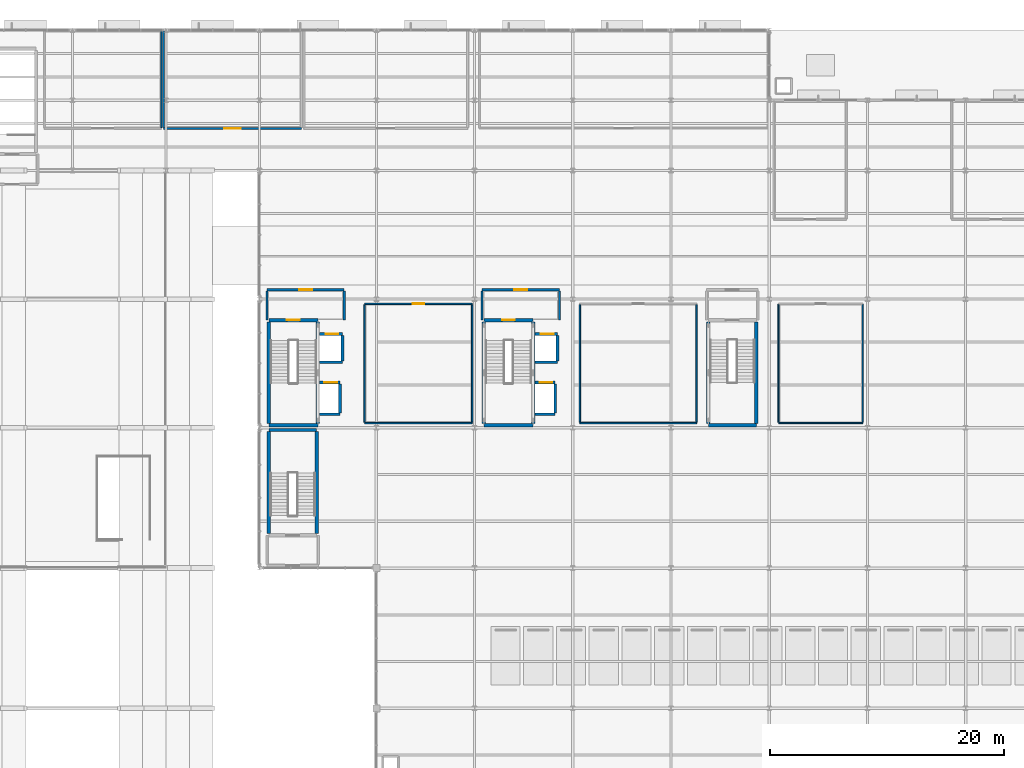
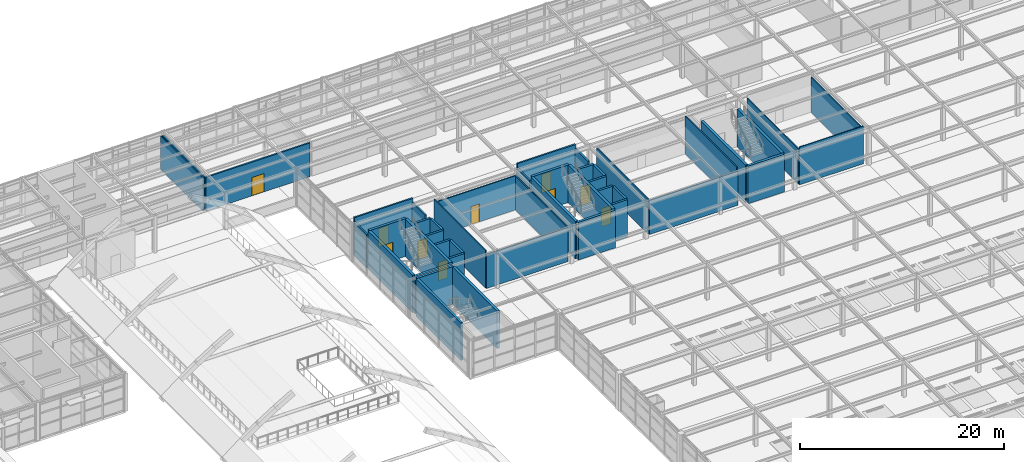
# One storey, part 65 of 82: 45 walls, 10 doors, 10 openings.
"""IFC4 building model written with IfcOpenShell, lengths in metres."""

from ifc_helpers import new_model, si_unit, direction, frame, frame_2d, origin, place, context, subcontext, project, spatial, rectangle, extrude, material, layer, layer_set, type_object, element, fill, save


model = new_model("IFC4")

# Units and contexts
model_context = context("Model", 3, precision=1e-05, world=origin(), true_north=direction((0.0, 1.0)))
body_context = subcontext(model_context, "Body", "Model", "MODEL_VIEW")
ifc_project = project(units=[si_unit("LENGTHUNIT", "METRE"), si_unit("AREAUNIT", "SQUARE_METRE"), si_unit("VOLUMEUNIT", "CUBIC_METRE"), si_unit("PLANEANGLEUNIT", "RADIAN"), si_unit("MASSUNIT", "GRAM", prefix="KILO")], contexts=[model_context])

# Site, building, storey
site_placement = place(None, origin())
site = spatial("IfcSite", under=ifc_project, at=site_placement, CompositionType="ELEMENT")
building_placement = place(site_placement, origin())
building = spatial("IfcBuilding", under=site, at=building_placement, Name="Sitalva Quay Ferry Terminal", CompositionType="ELEMENT")
storey_placement = place(building_placement, frame((0.0, 0.0, 5.39990234375)))
storey = spatial("IfcBuildingStorey", under=building, at=storey_placement, Name="L02", CompositionType="ELEMENT", Elevation=5.39990234375)

# Walls
ifc_material_1 = material(Name="Concrete C40/50", Category="concrete")
ifc_layer_1 = layer(ifc_material_1, 0.280029296875)
ifc_layer_set_1 = layer_set([ifc_layer_1], Name="Concrete C40/50")
wall_type_1 = type_object("IfcWallType", Name="Wall_CoreShear_280", PredefinedType="SHEAR", material=ifc_layer_set_1)
wall_1_placement = place(storey_placement, frame((74.800048828125, 77.800048828125, 0.0), z_axis=(0.0, 0.0, 1.0), x_axis=(1.0, 0.0, 0.0)))
element("IfcWall", 1, at=wall_1_placement, inside=storey, type_object=wall_type_1, Name="Core C11 L02 north shear wall", PredefinedType="SHEAR", context=body_context, shape_type="SweptSolid", body=[
    extrude(rectangle(XDim=4.099853515625, YDim=0.280029296875, at=frame_2d((2.0498046875, 0.0))), origin(), (0.0, 0.0, 1.0), 4.5),
])
for number, where, z_axis, x_axis, name in (
    (2, (74.800048828125, 68.93994140625, 0.0), (0.0, 0.0, 1.0), (0.0, 1.0, 0.0), "Core C11 L02 west shear wall"),
    (3, (78.89990234375, 68.93994140625, 0.0), (0.0, 0.0, 1.0), (0.0, 1.0, 0.0), "Core C11 L02 east shear wall"),
):
    element("IfcWall", number, at=place(storey_placement, frame(where, z_axis=z_axis, x_axis=x_axis)), inside=storey, type_object=wall_type_1, Name=name, PredefinedType="SHEAR", context=body_context, shape_type="SweptSolid", body=[
        extrude(rectangle(XDim=8.719970703125, YDim=0.280029296875, at=frame_2d((4.35986328125, 0.0))), origin(), (0.0, 0.0, 1.0), 4.5),
    ])
ifc_material_2 = material(Name="Concrete C40/50", Category="concrete")
ifc_layer_2 = layer(ifc_material_2, 0.300048828125)
ifc_layer_set_2 = layer_set([ifc_layer_2], Name="Concrete C40/50")
wall_type_2 = type_object("IfcWallType", Name="Wall_CoreShear_300", PredefinedType="SHEAR", material=ifc_layer_set_2)
wall_2_placement = place(storey_placement, frame((74.800048828125, 78.199951171875, 0.0), z_axis=(0.0, 0.0, 1.0), x_axis=(1.0, 0.0, 0.0)))
element("IfcWall", 4, at=wall_2_placement, inside=storey, type_object=wall_type_2, Name="Core C1 L02 south shear wall", PredefinedType="SHEAR", context=body_context, shape_type="SweptSolid", body=[
    extrude(rectangle(XDim=4.199951171875, YDim=0.300048828125, at=frame_2d((2.10009765625, 0.0))), origin(), (0.0, 0.0, 1.0), 4.5),
])

# Wall, opening, door
wall_3_placement = place(storey_placement, frame((74.800048828125, 87.199951171875, 0.0), z_axis=(0.0, 0.0, 1.0), x_axis=(1.0, 0.0, 0.0)))
wall_3 = element("IfcWall", 5, at=wall_3_placement, inside=storey, type_object=wall_type_2, Name="Core C1 L02 north shear wall", PredefinedType="SHEAR", context=body_context, shape_type="SweptSolid", body=[
    extrude(rectangle(XDim=4.199951171875, YDim=0.300048828125, at=frame_2d((2.10009765625, 0.0))), origin(), (0.0, 0.0, 1.0), 4.5),
])
opening_1_placement = place(wall_3_placement, frame((1.550048828125, 0.0, 0.0)))
opening_1 = element("IfcOpeningElement", 6, at=opening_1_placement, cuts=wall_3, Name="Opening D-L02-002", PredefinedType="OPENING", context=body_context, shape_type="SweptSolid", body=[
    extrude(rectangle(XDim=1.10009765625, YDim=2.199951171875, at=frame_2d((0.550048828125, 1.10009765625))), frame((0.0, 0.159912109375, 0.0), z_axis=(0.0, -1.0, 0.0), x_axis=(1.0, 0.0, 0.0)), (0.0, 0.0, 1.0), 0.320068359375),
])
ifc_material_3 = material(Name="Galvanised Steel Fire Door", Category="steel")
door_type_1 = type_object("IfcDoorType", Name="Door_CoreExit_1100x2200", OperationType="SINGLE_SWING_LEFT", PredefinedType="DOOR", material=ifc_material_3)
door_1_placement = place(opening_1_placement, origin())
door_1 = element("IfcDoor", 7, at=door_1_placement, inside=storey, type_object=door_type_1, Name="DOOR-D-L02-002 Protected stair ST-01 door D-L02-002", OperationType="SINGLE_SWING_RIGHT", OverallHeight=2.199951171875, OverallWidth=1.10009765625, PredefinedType="DOOR", context=body_context, shape_type="SweptSolid", body=[
    extrude(rectangle(XDim=1.10009765625, YDim=2.199951171875, at=frame_2d((0.550048828125, 1.10009765625))), frame((0.0, 0.02490234375, 0.0), z_axis=(0.0, -1.0, 0.0), x_axis=(1.0, 0.0, 0.0)), (0.0, 0.0, 1.0), 0.050048828125),
])
fill(opening_1, door_1)

# Walls
for number, where, z_axis, x_axis, name in (
    (8, (74.800048828125, 78.35009765625, 0.0), (0.0, 0.0, 1.0), (0.0, 1.0, 0.0), "Core C1 L02 west shear wall"),
    (9, (79.0, 78.35009765625, 0.0), (0.0, 0.0, 1.0), (0.0, 1.0, 0.0), "Core C1 L02 east shear wall"),
):
    element("IfcWall", number, at=place(storey_placement, frame(where, z_axis=z_axis, x_axis=x_axis)), inside=storey, type_object=wall_type_2, Name=name, PredefinedType="SHEAR", context=body_context, shape_type="SweptSolid", body=[
        extrude(rectangle(XDim=8.699951171875, YDim=0.300048828125, at=frame_2d((4.35009765625, 0.0))), origin(), (0.0, 0.0, 1.0), 4.5),
    ])
wall_4_placement = place(storey_placement, frame((93.199951171875, 78.199951171875, 0.0), z_axis=(0.0, 0.0, 1.0), x_axis=(1.0, 0.0, 0.0)))
element("IfcWall", 10, at=wall_4_placement, inside=storey, type_object=wall_type_2, Name="Core C2 L02 south shear wall", PredefinedType="SHEAR", context=body_context, shape_type="SweptSolid", body=[
    extrude(rectangle(XDim=4.199951171875, YDim=0.300048828125, at=frame_2d((2.10009765625, 0.0))), origin(), (0.0, 0.0, 1.0), 4.5),
])

# Wall, opening, door
wall_5_placement = place(storey_placement, frame((93.199951171875, 87.199951171875, 0.0), z_axis=(0.0, 0.0, 1.0), x_axis=(1.0, 0.0, 0.0)))
wall_5 = element("IfcWall", 11, at=wall_5_placement, inside=storey, type_object=wall_type_2, Name="Core C2 L02 north shear wall", PredefinedType="SHEAR", context=body_context, shape_type="SweptSolid", body=[
    extrude(rectangle(XDim=4.199951171875, YDim=0.300048828125, at=frame_2d((2.10009765625, 0.0))), origin(), (0.0, 0.0, 1.0), 4.5),
])
opening_2_placement = place(wall_5_placement, frame((1.550048828125, 0.0, 0.0)))
opening_2 = element("IfcOpeningElement", 12, at=opening_2_placement, cuts=wall_5, Name="Opening D-L02-007", PredefinedType="OPENING", context=body_context, shape_type="SweptSolid", body=[
    extrude(rectangle(XDim=1.10009765625, YDim=2.199951171875, at=frame_2d((0.550048828125, 1.10009765625))), frame((0.0, 0.159912109375, 0.0), z_axis=(0.0, -1.0, 0.0), x_axis=(1.0, 0.0, 0.0)), (0.0, 0.0, 1.0), 0.320068359375),
])
door_2_placement = place(opening_2_placement, origin())
door_2 = element("IfcDoor", 13, at=door_2_placement, inside=storey, type_object=door_type_1, Name="DOOR-D-L02-007 Protected stair ST-02 door D-L02-007", OperationType="SINGLE_SWING_LEFT", OverallHeight=2.199951171875, OverallWidth=1.10009765625, PredefinedType="DOOR", context=body_context, shape_type="SweptSolid", body=[
    extrude(rectangle(XDim=1.10009765625, YDim=2.199951171875, at=frame_2d((0.550048828125, 1.10009765625))), frame((0.0, 0.02490234375, 0.0), z_axis=(0.0, -1.0, 0.0), x_axis=(1.0, 0.0, 0.0)), (0.0, 0.0, 1.0), 0.050048828125),
])
fill(opening_2, door_2)

# Walls
for number, where, z_axis, x_axis, name in (
    (14, (93.199951171875, 78.35009765625, 0.0), (0.0, 0.0, 1.0), (0.0, 1.0, 0.0), "Core C2 L02 west shear wall"),
    (15, (97.39990234375, 78.35009765625, 0.0), (0.0, 0.0, 1.0), (0.0, 1.0, 0.0), "Core C2 L02 east shear wall"),
):
    element("IfcWall", number, at=place(storey_placement, frame(where, z_axis=z_axis, x_axis=x_axis)), inside=storey, type_object=wall_type_2, Name=name, PredefinedType="SHEAR", context=body_context, shape_type="SweptSolid", body=[
        extrude(rectangle(XDim=8.699951171875, YDim=0.300048828125, at=frame_2d((4.35009765625, 0.0))), origin(), (0.0, 0.0, 1.0), 4.5),
    ])
wall_6_placement = place(storey_placement, frame((112.39990234375, 78.199951171875, 0.0), z_axis=(0.0, 0.0, 1.0), x_axis=(1.0, 0.0, 0.0)))
element("IfcWall", 16, at=wall_6_placement, inside=storey, type_object=wall_type_2, Name="Core C4 L02 south shear wall", PredefinedType="SHEAR", context=body_context, shape_type="SweptSolid", body=[
    extrude(rectangle(XDim=4.10009765625, YDim=0.300048828125, at=frame_2d((2.050048828125, 0.0))), origin(), (0.0, 0.0, 1.0), 4.5),
])
for number, where, z_axis, x_axis, name in (
    (17, (112.39990234375, 78.35009765625, 0.0), (0.0, 0.0, 1.0), (0.0, 1.0, 0.0), "Core C4 L02 west shear wall"),
    (18, (116.5, 78.35009765625, 0.0), (0.0, 0.0, 1.0), (0.0, 1.0, 0.0), "Core C4 L02 east shear wall"),
):
    element("IfcWall", number, at=place(storey_placement, frame(where, z_axis=z_axis, x_axis=x_axis)), inside=storey, type_object=wall_type_2, Name=name, PredefinedType="SHEAR", context=body_context, shape_type="SweptSolid", body=[
        extrude(rectangle(XDim=8.699951171875, YDim=0.300048828125, at=frame_2d((4.35009765625, 0.0))), origin(), (0.0, 0.0, 1.0), 4.5),
    ])

# Wall, opening, door
ifc_material_4 = material(Name="Fire-Rated Blockwork C25/30", Category="masonry")
ifc_layer_3 = layer(ifc_material_4, 0.179931640625)
ifc_layer_set_3 = layer_set([ifc_layer_3], Name="Fire-Rated Blockwork C25/30")
wall_type_3 = type_object("IfcWallType", Name="Wall_FireLobby_180", PredefinedType="SOLIDWALL", material=ifc_layer_set_3)
wall_7_placement = place(storey_placement, frame((74.64990234375, 89.800048828125, 0.0), z_axis=(0.0, 0.0, 1.0), x_axis=(1.0, 0.0, 0.0)))
wall_7 = element("IfcWall", 19, at=wall_7_placement, inside=storey, type_object=wall_type_3, Name="Firefighting & Lift Lobby C1 N wall IW-L02-0004", PredefinedType="SOLIDWALL", context=body_context, shape_type="SweptSolid", body=[
    extrude(rectangle(XDim=6.60009765625, YDim=0.179931640625, at=frame_2d((3.300048828125, 0.0))), origin(), (0.0, 0.0, 1.0), 4.5),
])
opening_3_placement = place(wall_7_placement, frame((2.75, 0.0, 0.0)))
opening_3 = element("IfcOpeningElement", 20, at=opening_3_placement, cuts=wall_7, Name="Opening ID-L02-002", PredefinedType="OPENING", context=body_context, shape_type="SweptSolid", body=[
    extrude(rectangle(XDim=1.10009765625, YDim=2.199951171875, at=frame_2d((0.550048828125, 1.10009765625))), frame((0.0, 0.099853515625, 0.0), z_axis=(0.0, -1.0, 0.0), x_axis=(1.0, 0.0, 0.0)), (0.0, 0.0, 1.0), 0.199951171875),
])
ifc_material_5 = material(Name="Steel Fire Door", Category="steel")
door_type_2 = type_object("IfcDoorType", Name="Door_FireLobby_1100x2200", OperationType="SINGLE_SWING_LEFT", PredefinedType="DOOR", material=ifc_material_5)
door_3_placement = place(opening_3_placement, origin())
door_3 = element("IfcDoor", 21, at=door_3_placement, inside=storey, type_object=door_type_2, Name="IDOOR-ID-L02-002 Firefighting & Lift Lobby C1 entrance ID-L02-002", OperationType="SINGLE_SWING_RIGHT", OverallHeight=2.199951171875, OverallWidth=1.10009765625, PredefinedType="DOOR", context=body_context, shape_type="SweptSolid", body=[
    extrude(rectangle(XDim=1.10009765625, YDim=2.199951171875, at=frame_2d((0.550048828125, 1.10009765625))), frame((0.0, 0.02490234375, 0.0), z_axis=(0.0, -1.0, 0.0), x_axis=(1.0, 0.0, 0.0)), (0.0, 0.0, 1.0), 0.050048828125),
])
fill(opening_3, door_3)

# Walls
for number, where, z_axis, x_axis, name in (
    (22, (74.64990234375, 87.199951171875, 0.0), (0.0, 0.0, 1.0), (0.0, 1.0, 0.0), "Firefighting & Lift Lobby C1 W wall IW-L02-0005"),
    (23, (81.25, 87.199951171875, 0.0), (0.0, 0.0, 1.0), (0.0, 1.0, 0.0), "Firefighting & Lift Lobby C1 E wall IW-L02-0006"),
):
    element("IfcWall", number, at=place(storey_placement, frame(where, z_axis=z_axis, x_axis=x_axis)), inside=storey, type_object=wall_type_3, Name=name, PredefinedType="SOLIDWALL", context=body_context, shape_type="SweptSolid", body=[
        extrude(rectangle(XDim=2.510009765625, YDim=0.179931640625, at=frame_2d((1.2548828125, 0.0))), origin(), (0.0, 0.0, 1.0), 4.0400390625),
    ])

# Wall, opening, door
wall_8_placement = place(storey_placement, frame((93.050048828125, 89.800048828125, 0.0), z_axis=(0.0, 0.0, 1.0), x_axis=(1.0, 0.0, 0.0)))
wall_8 = element("IfcWall", 24, at=wall_8_placement, inside=storey, type_object=wall_type_3, Name="Firefighting & Lift Lobby C2 N wall IW-L02-0019", PredefinedType="SOLIDWALL", context=body_context, shape_type="SweptSolid", body=[
    extrude(rectangle(XDim=6.599853515625, YDim=0.179931640625, at=frame_2d((3.2998046875, 0.0))), origin(), (0.0, 0.0, 1.0), 4.5),
])
opening_4_placement = place(wall_8_placement, frame((2.75, 0.0, 0.0)))
opening_4 = element("IfcOpeningElement", 25, at=opening_4_placement, cuts=wall_8, Name="Opening ID-L02-007", PredefinedType="OPENING", context=body_context, shape_type="SweptSolid", body=[
    extrude(rectangle(XDim=1.10009765625, YDim=2.199951171875, at=frame_2d((0.550048828125, 1.10009765625))), frame((0.0, 0.099853515625, 0.0), z_axis=(0.0, -1.0, 0.0), x_axis=(1.0, 0.0, 0.0)), (0.0, 0.0, 1.0), 0.199951171875),
])
door_4_placement = place(opening_4_placement, origin())
door_4 = element("IfcDoor", 26, at=door_4_placement, inside=storey, type_object=door_type_2, Name="IDOOR-ID-L02-007 Firefighting & Lift Lobby C2 entrance ID-L02-007", OperationType="SINGLE_SWING_LEFT", OverallHeight=2.199951171875, OverallWidth=1.10009765625, PredefinedType="DOOR", context=body_context, shape_type="SweptSolid", body=[
    extrude(rectangle(XDim=1.10009765625, YDim=2.199951171875, at=frame_2d((0.550048828125, 1.10009765625))), frame((0.0, 0.02490234375, 0.0), z_axis=(0.0, -1.0, 0.0), x_axis=(1.0, 0.0, 0.0)), (0.0, 0.0, 1.0), 0.050048828125),
])
fill(opening_4, door_4)

# Walls
for number, where, z_axis, x_axis, name in (
    (27, (93.050048828125, 87.199951171875, 0.0), (0.0, 0.0, 1.0), (0.0, 1.0, 0.0), "Firefighting & Lift Lobby C2 W wall IW-L02-0020"),
    (28, (99.64990234375, 87.199951171875, 0.0), (0.0, 0.0, 1.0), (0.0, 1.0, 0.0), "Firefighting & Lift Lobby C2 E wall IW-L02-0021"),
):
    element("IfcWall", number, at=place(storey_placement, frame(where, z_axis=z_axis, x_axis=x_axis)), inside=storey, type_object=wall_type_3, Name=name, PredefinedType="SOLIDWALL", context=body_context, shape_type="SweptSolid", body=[
        extrude(rectangle(XDim=2.510009765625, YDim=0.179931640625, at=frame_2d((1.2548828125, 0.0))), origin(), (0.0, 0.0, 1.0), 4.0400390625),
    ])

# Wall, opening, door
wall_9_placement = place(storey_placement, frame((65.800048828125, 103.60009765625, 0.0), z_axis=(0.0, 0.0, 1.0), x_axis=(1.0, 0.0, 0.0)))
wall_9 = element("IfcWall", 29, at=wall_9_placement, inside=storey, type_object=wall_type_3, Name="Food Court Commercial Kitchen S wall IW-L02-0231", PredefinedType="SOLIDWALL", context=body_context, shape_type="SweptSolid", body=[
    extrude(rectangle(XDim=11.800048828125, YDim=0.179931640625, at=frame_2d((5.89990234375, 0.0))), origin(), (0.0, 0.0, 1.0), 4.033203125),
])
opening_5_placement = place(wall_9_placement, frame((5.199951171875, 0.0, 0.0)))
opening_5 = element("IfcOpeningElement", 30, at=opening_5_placement, cuts=wall_9, Name="Opening ID-L02-082", PredefinedType="OPENING", context=body_context, shape_type="SweptSolid", body=[
    extrude(rectangle(XDim=1.39990234375, YDim=2.199951171875, at=frame_2d((0.699951171875, 1.10009765625))), frame((0.0, 0.099853515625, 0.0), z_axis=(0.0, -1.0, 0.0), x_axis=(1.0, 0.0, 0.0)), (0.0, 0.0, 1.0), 0.199951171875),
])
ifc_material_6 = material(Name="Stainless Steel Catering Door", Category="steel")
door_type_3 = type_object("IfcDoorType", Name="Door_Kitchen_1400x2200", OperationType="DOUBLE_DOOR_DOUBLE_SWING", PredefinedType="DOOR", material=ifc_material_6)
door_5_placement = place(opening_5_placement, origin())
door_5 = element("IfcDoor", 31, at=door_5_placement, inside=storey, type_object=door_type_3, Name="IDOOR-ID-L02-082 Food Court Commercial Kitchen entrance ID-L02-082", OperationType="DOUBLE_DOOR_DOUBLE_SWING", OverallHeight=2.199951171875, OverallWidth=1.39990234375, PredefinedType="DOOR", context=body_context, shape_type="SweptSolid", body=[
    extrude(rectangle(XDim=1.39990234375, YDim=2.199951171875, at=frame_2d((0.699951171875, 1.10009765625))), frame((0.0, 0.02490234375, 0.0), z_axis=(0.0, -1.0, 0.0), x_axis=(1.0, 0.0, 0.0)), (0.0, 0.0, 1.0), 0.050048828125),
])
fill(opening_5, door_5)

# Walls
wall_10_placement = place(storey_placement, frame((65.800048828125, 103.68994140625, 0.0), z_axis=(0.0, 0.0, 1.0), x_axis=(0.0, 1.0, 0.0)))
element("IfcWall", 32, at=wall_10_placement, inside=storey, type_object=wall_type_3, Name="Food Court Commercial Kitchen W wall IW-L02-0232", PredefinedType="SOLIDWALL", context=body_context, shape_type="SweptSolid", body=[
    extrude(rectangle(XDim=8.22998046875, YDim=0.179931640625, at=frame_2d((4.114990234375, 0.0))), origin(), (0.0, 0.0, 1.0), 3.989990234375),
])
ifc_material_7 = material(Name="Double-Glazed Acoustic Partition", Category="glass")
ifc_layer_4 = layer(ifc_material_7, 0.110107421875)
ifc_layer_set_4 = layer_set([ifc_layer_4], Name="Double-Glazed Acoustic Partition")
wall_type_4 = type_object("IfcWallType", Name="Wall_GlazedScreen_110", PredefinedType="MOVABLE", material=ifc_layer_set_4)
wall_11_placement = place(storey_placement, frame((65.60009765625, 103.655029296875, 0.0), z_axis=(0.0, 0.0, 1.0), x_axis=(0.0, 1.0, 0.0)))
element("IfcWall", 33, at=wall_11_placement, inside=storey, type_object=wall_type_4, Name="Concourse Panorama Dining Room E wall IW-L02-0230", PredefinedType="MOVABLE", context=body_context, shape_type="SweptSolid", body=[
    extrude(rectangle(XDim=8.264892578125, YDim=0.110107421875, at=frame_2d((4.13232421875, 0.0))), origin(), (0.0, 0.0, 1.0), 3.989990234375),
])
ifc_material_8 = material(Name="Concrete C35/45", Category="concrete")
ifc_layer_5 = layer(ifc_material_8, 0.25)
ifc_layer_set_5 = layer_set([ifc_layer_5], Name="Concrete C35/45")
wall_type_5 = type_object("IfcWallType", Name="Wall_LiftShaft_250", PredefinedType="SOLIDWALL", material=ifc_layer_set_5)
wall_12_placement = place(storey_placement, frame((79.155029296875, 79.14990234375, 0.0), z_axis=(0.0, 0.0, 1.0), x_axis=(1.0, 0.0, 0.0)))
element("IfcWall", 34, at=wall_12_placement, inside=storey, type_object=wall_type_5, Name="Lift LF-01 L02 south shaft wall", PredefinedType="SOLIDWALL", context=body_context, shape_type="SweptSolid", body=[
    extrude(rectangle(XDim=1.744873046875, YDim=0.25, at=frame_2d((0.87255859375, 0.0))), origin(), (0.0, 0.0, 1.0), 4.5),
])

# Wall, opening, door
wall_13_placement = place(storey_placement, frame((79.155029296875, 81.85009765625, 0.0), z_axis=(0.0, 0.0, 1.0), x_axis=(1.0, 0.0, 0.0)))
wall_13 = element("IfcWall", 35, at=wall_13_placement, inside=storey, type_object=wall_type_5, Name="Lift LF-01 L02 north shaft wall", PredefinedType="SOLIDWALL", context=body_context, shape_type="SweptSolid", body=[
    extrude(rectangle(XDim=1.744873046875, YDim=0.25, at=frame_2d((0.87255859375, 0.0))), origin(), (0.0, 0.0, 1.0), 4.5),
])
opening_6_placement = place(wall_13_placement, frame((0.39990234375, 0.0, 0.0)))
opening_6 = element("IfcOpeningElement", 36, at=opening_6_placement, cuts=wall_13, Name="Opening LD-LF-01-L02", PredefinedType="OPENING", context=body_context, shape_type="SweptSolid", body=[
    extrude(rectangle(XDim=1.10009765625, YDim=2.199951171875, at=frame_2d((0.550048828125, 1.10009765625))), frame((0.0, 0.135009765625, 0.0), z_axis=(0.0, -1.0, 0.0), x_axis=(1.0, 0.0, 0.0)), (0.0, 0.0, 1.0), 0.27001953125),
])
ifc_material_9 = material(Name="Stainless Steel 316L Fire Landing Door", Category="steel")
door_type_4 = type_object("IfcDoorType", Name="Door_LiftLanding_1100x2200", OperationType="SLIDING_TO_LEFT", PredefinedType="DOOR", material=ifc_material_9)
door_6_placement = place(opening_6_placement, origin())
door_6 = element("IfcDoor", 37, at=door_6_placement, inside=storey, type_object=door_type_4, Name="DOOR-LD-LF-01-L02 Lift LF-01 sliding landing door LD-LF-01-L02", OperationType="SLIDING_TO_LEFT", OverallHeight=2.199951171875, OverallWidth=1.10009765625, PredefinedType="DOOR", context=body_context, shape_type="SweptSolid", body=[
    extrude(rectangle(XDim=1.10009765625, YDim=2.199951171875, at=frame_2d((0.550048828125, 1.10009765625))), frame((0.0, 0.02490234375, 0.0), z_axis=(0.0, -1.0, 0.0), x_axis=(1.0, 0.0, 0.0)), (0.0, 0.0, 1.0), 0.050048828125),
])
fill(opening_6, door_6)

# Walls
wall_14_placement = place(storey_placement, frame((80.89990234375, 79.27490234375, 0.0), z_axis=(0.0, 0.0, 1.0), x_axis=(0.0, 1.0, 0.0)))
element("IfcWall", 38, at=wall_14_placement, inside=storey, type_object=wall_type_5, Name="Lift LF-01 L02 east shaft wall", PredefinedType="SOLIDWALL", context=body_context, shape_type="SweptSolid", body=[
    extrude(rectangle(XDim=2.4501953125, YDim=0.25, at=frame_2d((1.22509765625, 0.0))), origin(), (0.0, 0.0, 1.0), 4.5),
])
wall_15_placement = place(storey_placement, frame((79.155029296875, 83.60009765625, 0.0), z_axis=(0.0, 0.0, 1.0), x_axis=(1.0, 0.0, 0.0)))
element("IfcWall", 39, at=wall_15_placement, inside=storey, type_object=wall_type_5, Name="Lift LF-03 L02 south shaft wall", PredefinedType="SOLIDWALL", context=body_context, shape_type="SweptSolid", body=[
    extrude(rectangle(XDim=1.945068359375, YDim=0.25, at=frame_2d((0.97265625, 0.0))), origin(), (0.0, 0.0, 1.0), 4.5),
])

# Wall, opening, door
wall_16_placement = place(storey_placement, frame((79.155029296875, 86.0, 0.0), z_axis=(0.0, 0.0, 1.0), x_axis=(1.0, 0.0, 0.0)))
wall_16 = element("IfcWall", 40, at=wall_16_placement, inside=storey, type_object=wall_type_5, Name="Lift LF-03 L02 north shaft wall", PredefinedType="SOLIDWALL", context=body_context, shape_type="SweptSolid", body=[
    extrude(rectangle(XDim=1.945068359375, YDim=0.25, at=frame_2d((0.97265625, 0.0))), origin(), (0.0, 0.0, 1.0), 4.5),
])
opening_7_placement = place(wall_16_placement, frame((0.5, 0.0, 0.0)))
opening_7 = element("IfcOpeningElement", 41, at=opening_7_placement, cuts=wall_16, Name="Opening LD-LF-03-L02", PredefinedType="OPENING", context=body_context, shape_type="SweptSolid", body=[
    extrude(rectangle(XDim=1.10009765625, YDim=2.199951171875, at=frame_2d((0.550048828125, 1.10009765625))), frame((0.0, 0.135009765625, 0.0), z_axis=(0.0, -1.0, 0.0), x_axis=(1.0, 0.0, 0.0)), (0.0, 0.0, 1.0), 0.27001953125),
])
door_7_placement = place(opening_7_placement, origin())
door_7 = element("IfcDoor", 42, at=door_7_placement, inside=storey, type_object=door_type_4, Name="DOOR-LD-LF-03-L02 Lift LF-03 sliding landing door LD-LF-03-L02", OperationType="SLIDING_TO_LEFT", OverallHeight=2.199951171875, OverallWidth=1.10009765625, PredefinedType="DOOR", context=body_context, shape_type="SweptSolid", body=[
    extrude(rectangle(XDim=1.10009765625, YDim=2.199951171875, at=frame_2d((0.550048828125, 1.10009765625))), frame((0.0, 0.02490234375, 0.0), z_axis=(0.0, -1.0, 0.0), x_axis=(1.0, 0.0, 0.0)), (0.0, 0.0, 1.0), 0.050048828125),
])
fill(opening_7, door_7)

# Walls
wall_17_placement = place(storey_placement, frame((81.10009765625, 83.72509765625, 0.0), z_axis=(0.0, 0.0, 1.0), x_axis=(0.0, 1.0, 0.0)))
element("IfcWall", 43, at=wall_17_placement, inside=storey, type_object=wall_type_5, Name="Lift LF-03 L02 east shaft wall", PredefinedType="SOLIDWALL", context=body_context, shape_type="SweptSolid", body=[
    extrude(rectangle(XDim=2.14990234375, YDim=0.25, at=frame_2d((1.074951171875, 0.0))), origin(), (0.0, 0.0, 1.0), 4.5),
])
wall_18_placement = place(storey_placement, frame((97.554931640625, 79.14990234375, 0.0), z_axis=(0.0, 0.0, 1.0), x_axis=(1.0, 0.0, 0.0)))
element("IfcWall", 44, at=wall_18_placement, inside=storey, type_object=wall_type_5, Name="Lift LF-02 L02 south shaft wall", PredefinedType="SOLIDWALL", context=body_context, shape_type="SweptSolid", body=[
    extrude(rectangle(XDim=1.7451171875, YDim=0.25, at=frame_2d((0.87255859375, 0.0))), origin(), (0.0, 0.0, 1.0), 4.5),
])

# Wall, opening, door
wall_19_placement = place(storey_placement, frame((97.554931640625, 81.85009765625, 0.0), z_axis=(0.0, 0.0, 1.0), x_axis=(1.0, 0.0, 0.0)))
wall_19 = element("IfcWall", 45, at=wall_19_placement, inside=storey, type_object=wall_type_5, Name="Lift LF-02 L02 north shaft wall", PredefinedType="SOLIDWALL", context=body_context, shape_type="SweptSolid", body=[
    extrude(rectangle(XDim=1.7451171875, YDim=0.25, at=frame_2d((0.87255859375, 0.0))), origin(), (0.0, 0.0, 1.0), 4.5),
])
opening_8_placement = place(wall_19_placement, frame((0.39990234375, 0.0, 0.0)))
opening_8 = element("IfcOpeningElement", 46, at=opening_8_placement, cuts=wall_19, Name="Opening LD-LF-02-L02", PredefinedType="OPENING", context=body_context, shape_type="SweptSolid", body=[
    extrude(rectangle(XDim=1.10009765625, YDim=2.199951171875, at=frame_2d((0.550048828125, 1.10009765625))), frame((0.0, 0.135009765625, 0.0), z_axis=(0.0, -1.0, 0.0), x_axis=(1.0, 0.0, 0.0)), (0.0, 0.0, 1.0), 0.27001953125),
])
door_8_placement = place(opening_8_placement, origin())
door_8 = element("IfcDoor", 47, at=door_8_placement, inside=storey, type_object=door_type_4, Name="DOOR-LD-LF-02-L02 Lift LF-02 sliding landing door LD-LF-02-L02", OperationType="SLIDING_TO_LEFT", OverallHeight=2.199951171875, OverallWidth=1.10009765625, PredefinedType="DOOR", context=body_context, shape_type="SweptSolid", body=[
    extrude(rectangle(XDim=1.10009765625, YDim=2.199951171875, at=frame_2d((0.550048828125, 1.10009765625))), frame((0.0, 0.02490234375, 0.0), z_axis=(0.0, -1.0, 0.0), x_axis=(1.0, 0.0, 0.0)), (0.0, 0.0, 1.0), 0.050048828125),
])
fill(opening_8, door_8)

# Walls
wall_20_placement = place(storey_placement, frame((99.300048828125, 79.27490234375, 0.0), z_axis=(0.0, 0.0, 1.0), x_axis=(0.0, 1.0, 0.0)))
element("IfcWall", 48, at=wall_20_placement, inside=storey, type_object=wall_type_5, Name="Lift LF-02 L02 east shaft wall", PredefinedType="SOLIDWALL", context=body_context, shape_type="SweptSolid", body=[
    extrude(rectangle(XDim=2.4501953125, YDim=0.25, at=frame_2d((1.22509765625, 0.0))), origin(), (0.0, 0.0, 1.0), 4.5),
])
wall_21_placement = place(storey_placement, frame((97.554931640625, 83.60009765625, 0.0), z_axis=(0.0, 0.0, 1.0), x_axis=(1.0, 0.0, 0.0)))
element("IfcWall", 49, at=wall_21_placement, inside=storey, type_object=wall_type_5, Name="Lift LF-04 L02 south shaft wall", PredefinedType="SOLIDWALL", context=body_context, shape_type="SweptSolid", body=[
    extrude(rectangle(XDim=1.945068359375, YDim=0.25, at=frame_2d((0.97265625, 0.0))), origin(), (0.0, 0.0, 1.0), 4.5),
])

# Wall, opening, door
wall_22_placement = place(storey_placement, frame((97.554931640625, 86.0, 0.0), z_axis=(0.0, 0.0, 1.0), x_axis=(1.0, 0.0, 0.0)))
wall_22 = element("IfcWall", 50, at=wall_22_placement, inside=storey, type_object=wall_type_5, Name="Lift LF-04 L02 north shaft wall", PredefinedType="SOLIDWALL", context=body_context, shape_type="SweptSolid", body=[
    extrude(rectangle(XDim=1.945068359375, YDim=0.25, at=frame_2d((0.97265625, 0.0))), origin(), (0.0, 0.0, 1.0), 4.5),
])
opening_9_placement = place(wall_22_placement, frame((0.5, 0.0, 0.0)))
opening_9 = element("IfcOpeningElement", 51, at=opening_9_placement, cuts=wall_22, Name="Opening LD-LF-04-L02", PredefinedType="OPENING", context=body_context, shape_type="SweptSolid", body=[
    extrude(rectangle(XDim=1.10009765625, YDim=2.199951171875, at=frame_2d((0.550048828125, 1.10009765625))), frame((0.0, 0.135009765625, 0.0), z_axis=(0.0, -1.0, 0.0), x_axis=(1.0, 0.0, 0.0)), (0.0, 0.0, 1.0), 0.27001953125),
])
door_9_placement = place(opening_9_placement, origin())
door_9 = element("IfcDoor", 52, at=door_9_placement, inside=storey, type_object=door_type_4, Name="DOOR-LD-LF-04-L02 Lift LF-04 sliding landing door LD-LF-04-L02", OperationType="SLIDING_TO_LEFT", OverallHeight=2.199951171875, OverallWidth=1.10009765625, PredefinedType="DOOR", context=body_context, shape_type="SweptSolid", body=[
    extrude(rectangle(XDim=1.10009765625, YDim=2.199951171875, at=frame_2d((0.550048828125, 1.10009765625))), frame((0.0, 0.02490234375, 0.0), z_axis=(0.0, -1.0, 0.0), x_axis=(1.0, 0.0, 0.0)), (0.0, 0.0, 1.0), 0.050048828125),
])
fill(opening_9, door_9)

# Walls
wall_23_placement = place(storey_placement, frame((99.5, 83.72509765625, 0.0), z_axis=(0.0, 0.0, 1.0), x_axis=(0.0, 1.0, 0.0)))
element("IfcWall", 53, at=wall_23_placement, inside=storey, type_object=wall_type_5, Name="Lift LF-04 L02 east shaft wall", PredefinedType="SOLIDWALL", context=body_context, shape_type="SweptSolid", body=[
    extrude(rectangle(XDim=2.14990234375, YDim=0.25, at=frame_2d((1.074951171875, 0.0))), origin(), (0.0, 0.0, 1.0), 4.5),
])
ifc_material_10 = material(Name="Lightweight Steel-Stud Gypsum Partition", Category="steel")
ifc_layer_6 = layer(ifc_material_10, 0.114990234375)
ifc_layer_set_6 = layer_set([ifc_layer_6], Name="Lightweight Steel-Stud Gypsum Partition")
wall_type_6 = type_object("IfcWallType", Name="Wall_Partition_115", PredefinedType="PARTITIONING", material=ifc_layer_set_6)
wall_24_placement = place(storey_placement, frame((118.39990234375, 78.39990234375, 0.0), z_axis=(0.0, 0.0, 1.0), x_axis=(1.0, 0.0, 0.0)))
element("IfcWall", 54, at=wall_24_placement, inside=storey, type_object=wall_type_6, Name="Deck Crew Equipment & Radio Store S wall IW-L02-0261", PredefinedType="PARTITIONING", context=body_context, shape_type="SweptSolid", body=[
    extrude(rectangle(XDim=7.2001953125, YDim=0.114990234375, at=frame_2d((3.60009765625, 0.0))), origin(), (0.0, 0.0, 1.0), 4.5),
])
for number, where, z_axis, x_axis, name in (
    (55, (118.39990234375, 78.45751953125, 0.0), (0.0, 0.0, 1.0), (0.0, 1.0, 0.0), "Deck Crew Equipment & Radio Store W wall IW-L02-0263"),
    (56, (125.60009765625, 78.45751953125, 0.0), (0.0, 0.0, 1.0), (0.0, 1.0, 0.0), "Deck Crew Equipment & Radio Store E wall IW-L02-0264"),
):
    element("IfcWall", number, at=place(storey_placement, frame(where, z_axis=z_axis, x_axis=x_axis)), inside=storey, type_object=wall_type_6, Name=name, PredefinedType="PARTITIONING", context=body_context, shape_type="SweptSolid", body=[
        extrude(rectangle(XDim=10.0849609375, YDim=0.114990234375, at=frame_2d((5.04248046875, 0.0))), origin(), (0.0, 0.0, 1.0), 4.18701171875),
    ])
ifc_material_11 = material(Name="Steel-Stud Gypsum Partition", Category="steel")
ifc_layer_7 = layer(ifc_material_11, 0.125)
ifc_layer_set_7 = layer_set([ifc_layer_7], Name="Steel-Stud Gypsum Partition")
wall_type_7 = type_object("IfcWallType", Name="Wall_Partition_125", PredefinedType="PARTITIONING", material=ifc_layer_set_7)
wall_25_placement = place(storey_placement, frame((83.0, 78.39990234375, 0.0), z_axis=(0.0, 0.0, 1.0), x_axis=(1.0, 0.0, 0.0)))
element("IfcWall", 57, at=wall_25_placement, inside=storey, type_object=wall_type_7, Name="Ferry Operator Ticketing & Dispatch Offices S wall IW-L02-0239", PredefinedType="PARTITIONING", context=body_context, shape_type="SweptSolid", body=[
    extrude(rectangle(XDim=9.199951171875, YDim=0.125, at=frame_2d((4.60009765625, 0.0))), origin(), (0.0, 0.0, 1.0), 4.0830078125),
])

# Wall, opening, door
wall_26_placement = place(storey_placement, frame((83.0, 88.60009765625, 0.0), z_axis=(0.0, 0.0, 1.0), x_axis=(1.0, 0.0, 0.0)))
wall_26 = element("IfcWall", 58, at=wall_26_placement, inside=storey, type_object=wall_type_7, Name="Ferry Operator Ticketing & Dispatch Offices N wall IW-L02-0240", PredefinedType="PARTITIONING", context=body_context, shape_type="SweptSolid", body=[
    extrude(rectangle(XDim=9.199951171875, YDim=0.125, at=frame_2d((4.60009765625, 0.0))), origin(), (0.0, 0.0, 1.0), 4.0830078125),
])
opening_10_placement = place(wall_26_placement, frame((4.125, 0.0, 0.0)))
opening_10 = element("IfcOpeningElement", 59, at=opening_10_placement, cuts=wall_26, Name="Opening ID-L02-085", PredefinedType="OPENING", context=body_context, shape_type="SweptSolid", body=[
    extrude(rectangle(XDim=0.949951171875, YDim=2.14990234375, at=frame_2d((0.47509765625, 1.074951171875))), frame((0.0, 0.072509765625, 0.0), z_axis=(0.0, -1.0, 0.0), x_axis=(1.0, 0.0, 0.0)), (0.0, 0.0, 1.0), 0.14501953125),
])
ifc_material_12 = material(Name="Hardwood Acoustic Veneer Door", Category="wood")
door_type_5 = type_object("IfcDoorType", Name="Door_Office_950x2150", OperationType="SINGLE_SWING_LEFT", PredefinedType="DOOR", material=ifc_material_12)
door_10_placement = place(opening_10_placement, origin())
door_10 = element("IfcDoor", 60, at=door_10_placement, inside=storey, type_object=door_type_5, Name="IDOOR-ID-L02-085 Ferry Operator Ticketing & Dispatch Offices entrance ID-L02-085", OperationType="SINGLE_SWING_LEFT", OverallHeight=2.14990234375, OverallWidth=0.949951171875, PredefinedType="DOOR", context=body_context, shape_type="SweptSolid", body=[
    extrude(rectangle(XDim=0.949951171875, YDim=2.14990234375, at=frame_2d((0.47509765625, 1.074951171875))), frame((0.0, 0.02490234375, 0.0), z_axis=(0.0, -1.0, 0.0), x_axis=(1.0, 0.0, 0.0)), (0.0, 0.0, 1.0), 0.050048828125),
])
fill(opening_10, door_10)

# Walls
wall_27_placement = place(storey_placement, frame((83.0, 78.46240234375, 0.0), z_axis=(0.0, 0.0, 1.0), x_axis=(0.0, 1.0, 0.0)))
element("IfcWall", 61, at=wall_27_placement, inside=storey, type_object=wall_type_7, Name="Ferry Operator Ticketing & Dispatch Offices W wall IW-L02-0241", PredefinedType="PARTITIONING", context=body_context, shape_type="SweptSolid", body=[
    extrude(rectangle(XDim=10.0751953125, YDim=0.125, at=frame_2d((5.03759765625, 0.0))), origin(), (0.0, 0.0, 1.0), 4.5),
])
wall_28_placement = place(storey_placement, frame((92.199951171875, 78.46240234375, 0.0), z_axis=(0.0, 0.0, 1.0), x_axis=(0.0, 1.0, 0.0)))
element("IfcWall", 62, at=wall_28_placement, inside=storey, type_object=wall_type_7, Name="Ferry Operator Ticketing & Dispatch Offices E wall IW-L02-0242", PredefinedType="PARTITIONING", context=body_context, shape_type="SweptSolid", body=[
    extrude(rectangle(XDim=10.0751953125, YDim=0.125, at=frame_2d((5.03759765625, 0.0))), origin(), (0.0, 0.0, 1.0), 4.0830078125),
])
wall_29_placement = place(storey_placement, frame((101.39990234375, 78.39990234375, 0.0), z_axis=(0.0, 0.0, 1.0), x_axis=(1.0, 0.0, 0.0)))
element("IfcWall", 63, at=wall_29_placement, inside=storey, type_object=wall_type_7, Name="Ferry Crew Mess & Rest Suite S wall IW-L02-0243", PredefinedType="PARTITIONING", context=body_context, shape_type="SweptSolid", body=[
    extrude(rectangle(XDim=10.0, YDim=0.125, at=frame_2d((5.0, 0.0))), origin(), (0.0, 0.0, 1.0), 4.0830078125),
])
wall_30_placement = place(storey_placement, frame((101.39990234375, 78.46240234375, 0.0), z_axis=(0.0, 0.0, 1.0), x_axis=(0.0, 1.0, 0.0)))
element("IfcWall", 64, at=wall_30_placement, inside=storey, type_object=wall_type_7, Name="Ferry Crew Mess & Rest Suite W wall IW-L02-0245", PredefinedType="PARTITIONING", context=body_context, shape_type="SweptSolid", body=[
    extrude(rectangle(XDim=10.0751953125, YDim=0.125, at=frame_2d((5.03759765625, 0.0))), origin(), (0.0, 0.0, 1.0), 4.18701171875),
])
wall_31_placement = place(storey_placement, frame((111.39990234375, 78.46240234375, 0.0), z_axis=(0.0, 0.0, 1.0), x_axis=(0.0, 1.0, 0.0)))
element("IfcWall", 65, at=wall_31_placement, inside=storey, type_object=wall_type_7, Name="Ferry Crew Mess & Rest Suite E wall IW-L02-0246", PredefinedType="PARTITIONING", context=body_context, shape_type="SweptSolid", body=[
    extrude(rectangle(XDim=10.0751953125, YDim=0.125, at=frame_2d((5.03759765625, 0.0))), origin(), (0.0, 0.0, 1.0), 4.5),
])

save(model, "model.ifc")
